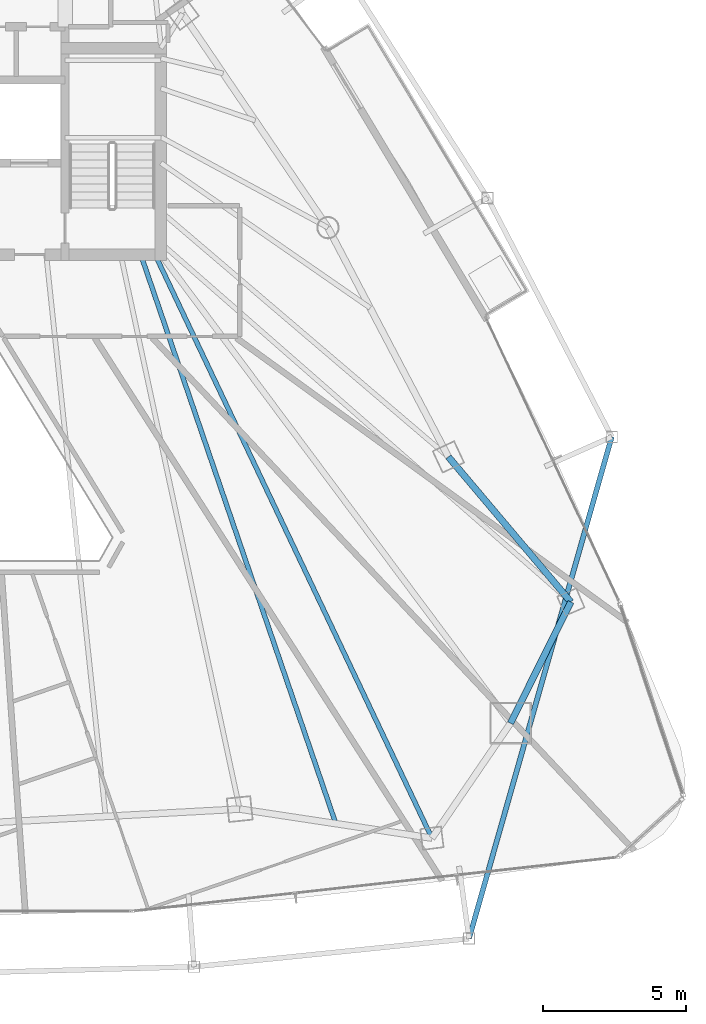
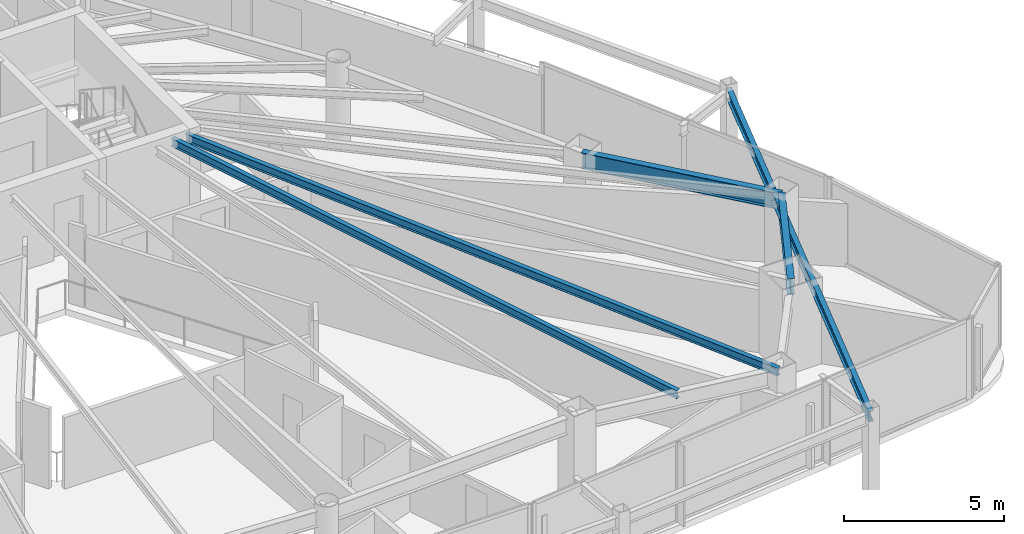
# One storey, part 13 of 29: 5 beams.
"""IFC4 building model written with IfcOpenShell, lengths in metres."""

import ifcopenshell
import ifcopenshell.guid

model = None  # the IFC model being written
_history = None  # IfcOwnerHistory: only IFC2X3 demands one
_inside = {}  # id of a spatial element -> (the spatial element, [elements in it])
_under = {}  # id of a project, library or spatial element -> (it, [spatial elements below it])
_declared = {}  # id of a project -> (the project, [libraries it declares])
_typed = {}  # id of a type object -> (the type object, [elements of that type])
_made_of = {}  # id of a material, layer set ... -> (it, [elements and type objects made of it])


def new_model(schema):
    """Start an empty IFC model of exactly this schema.

    Asked for "IFC4X3", IfcOpenShell would pick the latest addendum, in which some entities
    have other attributes; the version numbers below select the first issue.
    IFC2X3 requires an IfcOwnerHistory on every rooted entity: one is made here for all.
    """
    global model, _history
    if schema == "IFC4X3":
        model = ifcopenshell.file(schema_version=(4, 3, 0, 0))
    else:
        model = ifcopenshell.file(schema=schema)
    _inside.clear()
    _under.clear()
    _declared.clear()
    _typed.clear()
    _made_of.clear()
    _history = None
    if model.schema == "IFC2X3":
        org = make("IfcOrganization", Name="unknown")
        user = make(
            "IfcPersonAndOrganization",
            ThePerson=make("IfcPerson", FamilyName="unknown"),
            TheOrganization=org,
        )
        app = make(
            "IfcApplication",
            ApplicationDeveloper=org,
            Version="unknown",
            ApplicationFullName="unknown",
            ApplicationIdentifier="unknown",
        )
        _history = make(
            "IfcOwnerHistory",
            OwningUser=user,
            OwningApplication=app,
            ChangeAction="ADDED",
            CreationDate=0,
        )
    return model


def make(cls, **values):
    """One entity of the class cls with the attributes given. An attribute that is None is left unset."""
    return model.create_entity(
        cls, **{name: value for name, value in values.items() if value is not None}
    )


def rooted(cls, **values):
    """An entity with a GlobalId (a new one), such as an element, a storey or a relation."""
    return make(cls, GlobalId=ifcopenshell.guid.new(), OwnerHistory=_history, **values)


def si_unit(unit_type, name, prefix=None):
    """IfcSIUnit, for example si_unit("LENGTHUNIT", "METRE", prefix="MILLI")."""
    return make("IfcSIUnit", UnitType=unit_type, Prefix=prefix, Name=name)


def assignment(units):
    """IfcUnitAssignment: the units of a project."""
    return None if units is None else make("IfcUnitAssignment", Units=units)


def point(xyz):
    """IfcCartesianPoint."""
    return None if xyz is None else make("IfcCartesianPoint", Coordinates=xyz)


def direction(xyz):
    """IfcDirection."""
    return None if xyz is None else make("IfcDirection", DirectionRatios=xyz)


def frame(location, z_axis=None, x_axis=None):
    """IfcAxis2Placement3D, a coordinate frame: its origin and axes. An axis left out is left unset."""
    return make(
        "IfcAxis2Placement3D",
        Location=point(location),
        Axis=direction(z_axis),
        RefDirection=direction(x_axis),
    )


def frame_2d(location, x_axis=None):
    """IfcAxis2Placement2D, a coordinate frame in the plane: its origin and x axis."""
    return make(
        "IfcAxis2Placement2D", Location=point(location), RefDirection=direction(x_axis)
    )


def origin():
    """The frame at (0, 0, 0) with its axes left unset."""
    return frame((0.0, 0.0, 0.0))


def origin_2d():
    """The frame at (0, 0) in the plane with its x axis left unset."""
    return frame_2d((0.0, 0.0))


def place(relative_to, where):
    """IfcLocalPlacement: puts the frame where relative to a parent placement (None: the world)."""
    return make(
        "IfcLocalPlacement", PlacementRelTo=relative_to, RelativePlacement=where
    )


def context(
    kind, dimensions, precision=None, world=None, true_north=None, identifier=None
):
    """IfcGeometricRepresentationContext, for example the 3D "Model" context."""
    return make(
        "IfcGeometricRepresentationContext",
        ContextIdentifier=identifier,
        ContextType=kind,
        CoordinateSpaceDimension=dimensions,
        Precision=precision,
        WorldCoordinateSystem=world,
        TrueNorth=true_north,
    )


def subcontext(parent, identifier, kind, view, scale=None):
    """IfcGeometricRepresentationSubContext, for example "Body" below "Model"."""
    return make(
        "IfcGeometricRepresentationSubContext",
        ContextIdentifier=identifier,
        ContextType=kind,
        ParentContext=parent,
        TargetScale=scale,
        TargetView=view,
    )


def project(units=None, contexts=None):
    """IfcProject with its units and contexts."""
    return rooted(
        "IfcProject",
        Name="project",
        RepresentationContexts=contexts,
        UnitsInContext=assignment(units),
    )


def spatial(cls, under=None, at=None, **own):
    """A site, building, storey or space (cls), placed at a placement, below another one or the project."""
    s = rooted(cls, ObjectPlacement=at, **own)
    if under is not None:
        _under.setdefault(under.id(), (under, []))[1].append(s)
    return s


def profile(cls, at=None, kind="AREA", **sizes):
    """A parametric profile (cls). Its sizes go by their IFC names, for example OverallWidth=200.0."""
    return make(cls, ProfileType=kind, Position=at, **sizes)


def i_section(**sizes):
    """IfcIShapeProfileDef."""
    return profile("IfcIShapeProfileDef", **sizes)


def extrude(swept, where, along, depth):
    """IfcExtrudedAreaSolid: the profile swept, set in the frame where, extruded along a direction by depth."""
    return make(
        "IfcExtrudedAreaSolid",
        SweptArea=swept,
        Position=where,
        ExtrudedDirection=direction(along),
        Depth=depth,
    )


def shape(context_of_items, identifier, shape_type, items):
    """IfcShapeRepresentation: the items that make up one representation, for example the "Body"."""
    return make(
        "IfcShapeRepresentation",
        ContextOfItems=context_of_items,
        RepresentationIdentifier=identifier,
        RepresentationType=shape_type,
        Items=items,
    )


def material(Name=None, Category=None):
    """IfcMaterial."""
    return make("IfcMaterial", Name=Name, Category=Category)


def material_profile(
    of_material, cross_section, Name=None, Category=None, Priority=None
):
    """IfcMaterialProfile: a cross section and its material."""
    return make(
        "IfcMaterialProfile",
        Name=Name,
        Material=of_material,
        Profile=cross_section,
        Priority=Priority,
        Category=Category,
    )


def profile_set(profiles, Name=None, composite=None):
    """IfcMaterialProfileSet."""
    return make(
        "IfcMaterialProfileSet",
        Name=Name,
        MaterialProfiles=profiles,
        CompositeProfile=composite,
    )


def made_of(thing, what):
    """Note that an element or type object is made of a material, layer set ...; save() writes the relation."""
    if what is not None:
        _made_of.setdefault(what.id(), (what, []))[1].append(thing)
    return thing


def type_object(cls, material=None, **own):
    """A type object (cls), such as IfcWallType, which elements share."""
    return made_of(rooted(cls, **own), material)


def element(
    cls,
    number,
    at=None,
    inside=None,
    cuts=None,
    type_object=None,
    material=None,
    context=None,
    identifier="Body",
    shape_type=None,
    held_by="IfcProductDefinitionShape",
    body=None,
    shapes=None,
    **own,
):
    """One element of the class cls, such as IfcWall. Its Tag is "e" and its number.

    at: its placement. inside: the storey or other place that contains it. cuts: it is an
    opening in that element (IfcRelVoidsElement). A single representation is given by context,
    identifier, shape_type and body (its items); several are given by shapes. held_by: the class
    of the entity that holds the representations. save() writes the other relations.
    """
    e = rooted(cls, Tag="e%d" % number, ObjectPlacement=at, **own)
    if body is not None:
        shapes = [shape(context, identifier, shape_type, body)]
    if shapes is not None:
        e.Representation = make(held_by, Representations=shapes)
    if inside is not None:
        _inside.setdefault(inside.id(), (inside, []))[1].append(e)
    if cuts is not None:
        rooted(
            "IfcRelVoidsElement", RelatingBuildingElement=cuts, RelatedOpeningElement=e
        )
    if type_object is not None:
        _typed.setdefault(type_object.id(), (type_object, []))[1].append(e)
    return made_of(e, material)


def aggregate(whole, parts):
    """IfcRelAggregates: a whole, such as a stair, and the parts it consists of."""
    return rooted("IfcRelAggregates", RelatingObject=whole, RelatedObjects=parts)


def save(model, path):
    """Write the relations noted so far, then the file.

    IfcRelAggregates (storeys below a building ...), IfcRelContainedInSpatialStructure (elements
    in a storey), IfcRelDefinesByType, IfcRelAssociatesMaterial and IfcRelDeclares: one each for
    every whole, place, type object, material and project.
    """
    for whole, parts in _under.values():
        aggregate(whole, parts)
    for where, things in _inside.values():
        rooted(
            "IfcRelContainedInSpatialStructure",
            RelatedElements=things,
            RelatingStructure=where,
        )
    for kind, things in _typed.values():
        rooted("IfcRelDefinesByType", RelatedObjects=things, RelatingType=kind)
    for what, things in _made_of.values():
        rooted("IfcRelAssociatesMaterial", RelatedObjects=things, RelatingMaterial=what)
    for by, libraries in _declared.values():
        rooted("IfcRelDeclares", RelatingContext=by, RelatedDefinitions=libraries)
    model.write(path)


model = new_model("IFC4")

# Units and contexts
model_context = context("Model", 3, precision=1e-05, world=origin(), true_north=direction((0.0, 1.0)))
body_context = subcontext(model_context, "Body", "Model", "MODEL_VIEW")
ifc_project = project(units=[si_unit("LENGTHUNIT", "METRE"), si_unit("AREAUNIT", "SQUARE_METRE"), si_unit("VOLUMEUNIT", "CUBIC_METRE"), si_unit("PLANEANGLEUNIT", "RADIAN"), si_unit("MASSUNIT", "GRAM", prefix="KILO")], contexts=[model_context])

# Site, building, storey
site_placement = place(None, origin())
site = spatial("IfcSite", under=ifc_project, at=site_placement, CompositionType="ELEMENT")
building_placement = place(site_placement, origin())
building = spatial("IfcBuilding", under=site, at=building_placement, Name="Orvanel Arch Residences", CompositionType="ELEMENT")
storey_placement = place(building_placement, frame((0.0, 0.0, 160.550048828125)))
storey = spatial("IfcBuildingStorey", under=building, at=storey_placement, Name="L45", CompositionType="ELEMENT", Elevation=160.550048828125)

# Beams
ifc_material = material(Name="Structural steel AS/NZS 3679.1 Grade 300 (300 MPa)", Category="steel")
ifc_material_profile_1 = material_profile(ifc_material, i_section(OverallWidth=0.1650390625, OverallDepth=0.303955078125, WebThickness=0.006103515625, FlangeThickness=0.01025390625, at=origin_2d()), Name="310UB40.4")
ifc_profile_set_1 = profile_set([ifc_material_profile_1], Name="Structural steel AS/NZS 3679.1 Grade 300 (300 MPa)")
beam_type_1 = type_object("IfcBeamType", Name="BJ-310UB", PredefinedType="JOIST", material=ifc_profile_set_1)
beam_1_placement = place(storey_placement, frame((39.39990234375, 26.699951171875, 2.907958984375), z_axis=(0.428614365266, -0.903487534993, 0.0), x_axis=(0.903487534993, 0.428614365266, 0.0)))
element("IfcBeam", 1, at=beam_1_placement, inside=storey, type_object=beam_type_1, Name="L45 MSE Wing Floor Joist", PredefinedType="JOIST", context=body_context, shape_type="SweptSolid", body=[
    extrude(i_section(OverallWidth=0.1650390625, OverallDepth=0.303955078125, WebThickness=0.006103515625, FlangeThickness=0.01025390625, at=origin_2d()), origin(), (0.0, 0.0, 1.0), 22.535888671875),
])
beam_2_placement = place(storey_placement, frame((38.89990234375, 26.699951171875, 2.907958984375), z_axis=(0.324257108963, -0.945968988544, 0.0), x_axis=(0.945968988544, 0.324257108963, 0.0)))
element("IfcBeam", 2, at=beam_2_placement, inside=storey, type_object=beam_type_1, Name="L45 JADD2 Wing Floor Joist", PredefinedType="JOIST", context=body_context, shape_type="SweptSolid", body=[
    extrude(i_section(OverallWidth=0.1650390625, OverallDepth=0.303955078125, WebThickness=0.006103515625, FlangeThickness=0.01025390625, at=origin_2d()), origin(), (0.0, 0.0, 1.0), 20.987060546875),
])
ifc_material_profile_2 = material_profile(ifc_material, i_section(OverallWidth=0.177978515625, OverallDepth=0.406005859375, WebThickness=0.0078125, FlangeThickness=0.0126953125, at=origin_2d()), Name="410UB59.7")
ifc_profile_set_2 = profile_set([ifc_material_profile_2], Name="Structural steel AS/NZS 3679.1 Grade 300 (300 MPa)")
beam_type_2 = type_object("IfcBeamType", Name="OB-410UB-EXT", PredefinedType="SPANDREL", material=ifc_profile_set_2)
beam_3_placement = place(storey_placement, frame((50.35302734375, 2.8349609375, 2.85693359375), z_axis=(0.27352345483, 0.961865333432, 0.0), x_axis=(-0.961865333432, 0.27352345483, 0.0)))
element("IfcBeam", 3, at=beam_3_placement, inside=storey, type_object=beam_type_2, Name="L45 Outer Perimeter Floor Ring Beam 08", PredefinedType="SPANDREL", context=body_context, shape_type="SweptSolid", body=[
    extrude(i_section(OverallWidth=0.177978515625, OverallDepth=0.406005859375, WebThickness=0.0078125, FlangeThickness=0.0126953125, at=origin_2d()), origin(), (0.0, 0.0, 1.0), 18.203125),
])
ifc_material_profile_3 = material_profile(ifc_material, i_section(OverallWidth=0.22900390625, OverallDepth=0.612060546875, WebThickness=0.011962890625, FlangeThickness=0.01953125, at=origin_2d()), Name="610UB125")
ifc_profile_set_3 = profile_set([ifc_material_profile_3], Name="Structural steel AS/NZS 3679.1 Grade 300 (300 MPa)")
beam_type_3 = type_object("IfcBeamType", Name="SP-610UB", PredefinedType="SPANDREL", material=ifc_profile_set_3)
beam_4_placement = place(storey_placement, frame((51.801025390625, 10.35107421875, 2.75390625), z_axis=(0.44543469453, 0.895314432425, 0.0), x_axis=(-0.895314432425, 0.44543469453, 0.0)))
element("IfcBeam", 4, at=beam_4_placement, inside=storey, type_object=beam_type_3, Name="L45 Perimeter Spandrel Beam 09", PredefinedType="SPANDREL", context=body_context, shape_type="SweptSolid", body=[
    extrude(i_section(OverallWidth=0.22900390625, OverallDepth=0.612060546875, WebThickness=0.011962890625, FlangeThickness=0.01953125, at=origin_2d()), origin(), (0.0, 0.0, 1.0), 4.723388671875),
])
beam_5_placement = place(storey_placement, frame((53.905029296875, 14.580078125, 2.75390625), z_axis=(-0.644950329775, 0.764224490659, 0.0), x_axis=(-0.764224490659, -0.644950329775, 0.0)))
element("IfcBeam", 5, at=beam_5_placement, inside=storey, type_object=beam_type_3, Name="L45 Perimeter Spandrel Beam 10", PredefinedType="SPANDREL", context=body_context, shape_type="SweptSolid", body=[
    extrude(i_section(OverallWidth=0.22900390625, OverallDepth=0.612060546875, WebThickness=0.011962890625, FlangeThickness=0.01953125, at=origin_2d()), origin(), (0.0, 0.0, 1.0), 6.623779296875),
])

save(model, "model.ifc")
